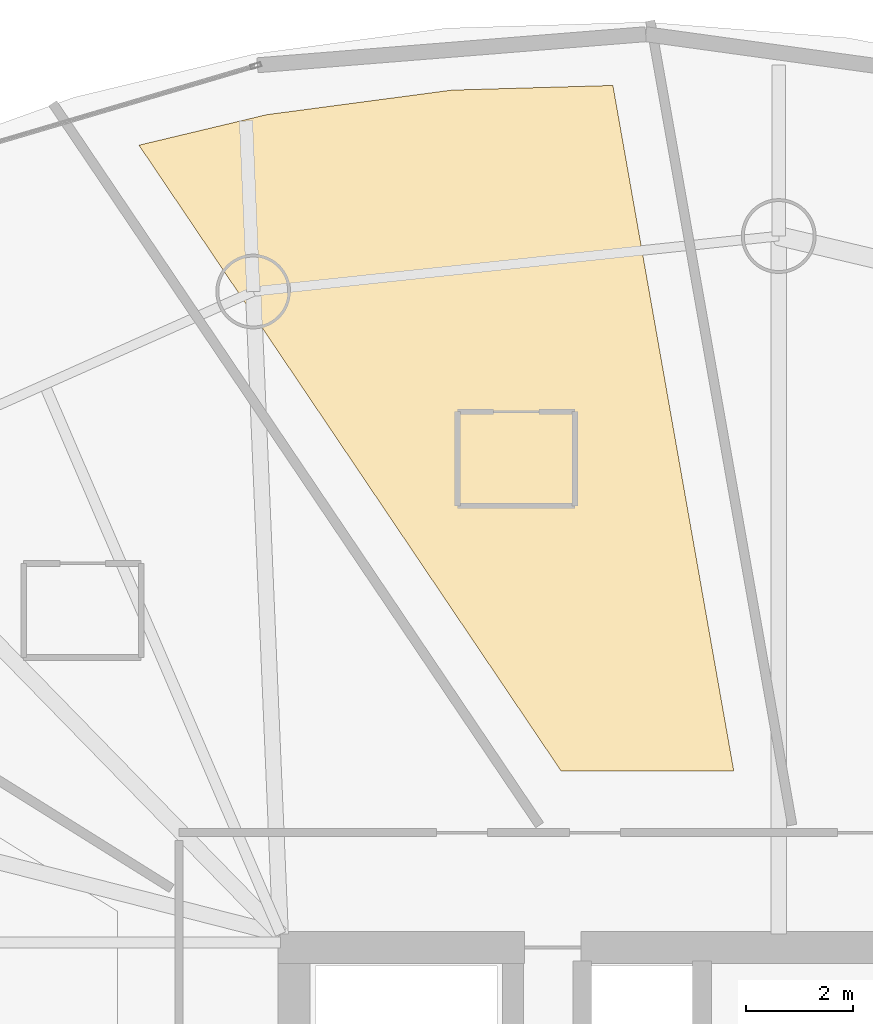
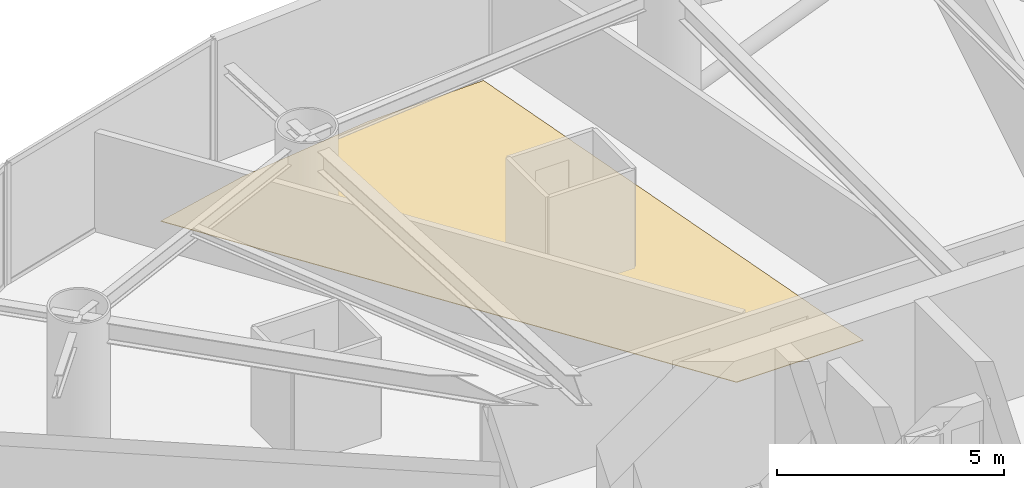
# One storey, part 24 of 24: 1 covering.
"""IFC4 building model written with IfcOpenShell, lengths in metres."""

import ifcopenshell
import ifcopenshell.guid

model = None  # the IFC model being written
_history = None  # IfcOwnerHistory: only IFC2X3 demands one
_inside = {}  # id of a spatial element -> (the spatial element, [elements in it])
_under = {}  # id of a project, library or spatial element -> (it, [spatial elements below it])
_declared = {}  # id of a project -> (the project, [libraries it declares])
_typed = {}  # id of a type object -> (the type object, [elements of that type])
_made_of = {}  # id of a material, layer set ... -> (it, [elements and type objects made of it])


def new_model(schema):
    """Start an empty IFC model of exactly this schema.

    Asked for "IFC4X3", IfcOpenShell would pick the latest addendum, in which some entities
    have other attributes; the version numbers below select the first issue.
    IFC2X3 requires an IfcOwnerHistory on every rooted entity: one is made here for all.
    """
    global model, _history
    if schema == "IFC4X3":
        model = ifcopenshell.file(schema_version=(4, 3, 0, 0))
    else:
        model = ifcopenshell.file(schema=schema)
    _inside.clear()
    _under.clear()
    _declared.clear()
    _typed.clear()
    _made_of.clear()
    _history = None
    if model.schema == "IFC2X3":
        org = make("IfcOrganization", Name="unknown")
        user = make(
            "IfcPersonAndOrganization",
            ThePerson=make("IfcPerson", FamilyName="unknown"),
            TheOrganization=org,
        )
        app = make(
            "IfcApplication",
            ApplicationDeveloper=org,
            Version="unknown",
            ApplicationFullName="unknown",
            ApplicationIdentifier="unknown",
        )
        _history = make(
            "IfcOwnerHistory",
            OwningUser=user,
            OwningApplication=app,
            ChangeAction="ADDED",
            CreationDate=0,
        )
    return model


def make(cls, **values):
    """One entity of the class cls with the attributes given. An attribute that is None is left unset."""
    return model.create_entity(
        cls, **{name: value for name, value in values.items() if value is not None}
    )


def rooted(cls, **values):
    """An entity with a GlobalId (a new one), such as an element, a storey or a relation."""
    return make(cls, GlobalId=ifcopenshell.guid.new(), OwnerHistory=_history, **values)


def si_unit(unit_type, name, prefix=None):
    """IfcSIUnit, for example si_unit("LENGTHUNIT", "METRE", prefix="MILLI")."""
    return make("IfcSIUnit", UnitType=unit_type, Prefix=prefix, Name=name)


def assignment(units):
    """IfcUnitAssignment: the units of a project."""
    return None if units is None else make("IfcUnitAssignment", Units=units)


def point(xyz):
    """IfcCartesianPoint."""
    return None if xyz is None else make("IfcCartesianPoint", Coordinates=xyz)


def direction(xyz):
    """IfcDirection."""
    return None if xyz is None else make("IfcDirection", DirectionRatios=xyz)


def frame(location, z_axis=None, x_axis=None):
    """IfcAxis2Placement3D, a coordinate frame: its origin and axes. An axis left out is left unset."""
    return make(
        "IfcAxis2Placement3D",
        Location=point(location),
        Axis=direction(z_axis),
        RefDirection=direction(x_axis),
    )


def origin():
    """The frame at (0, 0, 0) with its axes left unset."""
    return frame((0.0, 0.0, 0.0))


def place(relative_to, where):
    """IfcLocalPlacement: puts the frame where relative to a parent placement (None: the world)."""
    return make(
        "IfcLocalPlacement", PlacementRelTo=relative_to, RelativePlacement=where
    )


def context(
    kind, dimensions, precision=None, world=None, true_north=None, identifier=None
):
    """IfcGeometricRepresentationContext, for example the 3D "Model" context."""
    return make(
        "IfcGeometricRepresentationContext",
        ContextIdentifier=identifier,
        ContextType=kind,
        CoordinateSpaceDimension=dimensions,
        Precision=precision,
        WorldCoordinateSystem=world,
        TrueNorth=true_north,
    )


def subcontext(parent, identifier, kind, view, scale=None):
    """IfcGeometricRepresentationSubContext, for example "Body" below "Model"."""
    return make(
        "IfcGeometricRepresentationSubContext",
        ContextIdentifier=identifier,
        ContextType=kind,
        ParentContext=parent,
        TargetScale=scale,
        TargetView=view,
    )


def project(units=None, contexts=None):
    """IfcProject with its units and contexts."""
    return rooted(
        "IfcProject",
        Name="project",
        RepresentationContexts=contexts,
        UnitsInContext=assignment(units),
    )


def spatial(cls, under=None, at=None, **own):
    """A site, building, storey or space (cls), placed at a placement, below another one or the project."""
    s = rooted(cls, ObjectPlacement=at, **own)
    if under is not None:
        _under.setdefault(under.id(), (under, []))[1].append(s)
    return s


def polyline(points):
    """IfcPolyline through the points."""
    return make("IfcPolyline", Points=[point(p) for p in points])


def outline(outer, holes=None, kind="AREA"):
    """IfcArbitraryClosedProfileDef: a profile drawn as a closed curve; with holes, ...WithVoids."""
    if holes is None:
        return make("IfcArbitraryClosedProfileDef", ProfileType=kind, OuterCurve=outer)
    return make(
        "IfcArbitraryProfileDefWithVoids",
        ProfileType=kind,
        OuterCurve=outer,
        InnerCurves=holes,
    )


def extrude(swept, where, along, depth):
    """IfcExtrudedAreaSolid: the profile swept, set in the frame where, extruded along a direction by depth."""
    return make(
        "IfcExtrudedAreaSolid",
        SweptArea=swept,
        Position=where,
        ExtrudedDirection=direction(along),
        Depth=depth,
    )


def shape(context_of_items, identifier, shape_type, items):
    """IfcShapeRepresentation: the items that make up one representation, for example the "Body"."""
    return make(
        "IfcShapeRepresentation",
        ContextOfItems=context_of_items,
        RepresentationIdentifier=identifier,
        RepresentationType=shape_type,
        Items=items,
    )


def material(Name=None, Category=None):
    """IfcMaterial."""
    return make("IfcMaterial", Name=Name, Category=Category)


def layer(
    of_material, thickness, ventilated=None, Name=None, Category=None, Priority=None
):
    """IfcMaterialLayer: one layer of a wall or slab, of a material (None: an air gap)."""
    return make(
        "IfcMaterialLayer",
        Material=of_material,
        LayerThickness=thickness,
        IsVentilated=ventilated,
        Name=Name,
        Category=Category,
        Priority=Priority,
    )


def layer_set(layers, Name=None):
    """IfcMaterialLayerSet."""
    return make("IfcMaterialLayerSet", MaterialLayers=layers, LayerSetName=Name)


def made_of(thing, what):
    """Note that an element or type object is made of a material, layer set ...; save() writes the relation."""
    if what is not None:
        _made_of.setdefault(what.id(), (what, []))[1].append(thing)
    return thing


def type_object(cls, material=None, **own):
    """A type object (cls), such as IfcWallType, which elements share."""
    return made_of(rooted(cls, **own), material)


def element(
    cls,
    number,
    at=None,
    inside=None,
    cuts=None,
    type_object=None,
    material=None,
    context=None,
    identifier="Body",
    shape_type=None,
    held_by="IfcProductDefinitionShape",
    body=None,
    shapes=None,
    **own,
):
    """One element of the class cls, such as IfcWall. Its Tag is "e" and its number.

    at: its placement. inside: the storey or other place that contains it. cuts: it is an
    opening in that element (IfcRelVoidsElement). A single representation is given by context,
    identifier, shape_type and body (its items); several are given by shapes. held_by: the class
    of the entity that holds the representations. save() writes the other relations.
    """
    e = rooted(cls, Tag="e%d" % number, ObjectPlacement=at, **own)
    if body is not None:
        shapes = [shape(context, identifier, shape_type, body)]
    if shapes is not None:
        e.Representation = make(held_by, Representations=shapes)
    if inside is not None:
        _inside.setdefault(inside.id(), (inside, []))[1].append(e)
    if cuts is not None:
        rooted(
            "IfcRelVoidsElement", RelatingBuildingElement=cuts, RelatedOpeningElement=e
        )
    if type_object is not None:
        _typed.setdefault(type_object.id(), (type_object, []))[1].append(e)
    return made_of(e, material)


def aggregate(whole, parts):
    """IfcRelAggregates: a whole, such as a stair, and the parts it consists of."""
    return rooted("IfcRelAggregates", RelatingObject=whole, RelatedObjects=parts)


def save(model, path):
    """Write the relations noted so far, then the file.

    IfcRelAggregates (storeys below a building ...), IfcRelContainedInSpatialStructure (elements
    in a storey), IfcRelDefinesByType, IfcRelAssociatesMaterial and IfcRelDeclares: one each for
    every whole, place, type object, material and project.
    """
    for whole, parts in _under.values():
        aggregate(whole, parts)
    for where, things in _inside.values():
        rooted(
            "IfcRelContainedInSpatialStructure",
            RelatedElements=things,
            RelatingStructure=where,
        )
    for kind, things in _typed.values():
        rooted("IfcRelDefinesByType", RelatedObjects=things, RelatingType=kind)
    for what, things in _made_of.values():
        rooted("IfcRelAssociatesMaterial", RelatedObjects=things, RelatingMaterial=what)
    for by, libraries in _declared.values():
        rooted("IfcRelDeclares", RelatingContext=by, RelatedDefinitions=libraries)
    model.write(path)


model = new_model("IFC4")

# Units and contexts
model_context = context("Model", 3, precision=1e-05, world=origin(), true_north=direction((0.0, 1.0)))
body_context = subcontext(model_context, "Body", "Model", "MODEL_VIEW")
ifc_project = project(units=[si_unit("LENGTHUNIT", "METRE"), si_unit("AREAUNIT", "SQUARE_METRE"), si_unit("VOLUMEUNIT", "CUBIC_METRE"), si_unit("PLANEANGLEUNIT", "RADIAN"), si_unit("MASSUNIT", "GRAM", prefix="KILO")], contexts=[model_context])

# Site, building, storey
site_placement = place(None, origin())
site = spatial("IfcSite", under=ifc_project, at=site_placement, CompositionType="ELEMENT")
building_placement = place(site_placement, origin())
building = spatial("IfcBuilding", under=site, at=building_placement, Name="Bramvorn Convention Spire", CompositionType="ELEMENT")
storey_placement = place(building_placement, frame((0.0, 0.0, 148.300048828125)))
storey = spatial("IfcBuildingStorey", under=building, at=storey_placement, Name="L37", CompositionType="ELEMENT", Elevation=148.300048828125)

# Covering
ifc_material = material(Name="Solution-Dyed Wool Broadloom Hospitality Carpet", Category="textile")
ifc_layer = layer(ifc_material, 0.014892578125)
ifc_layer_set = layer_set([ifc_layer], Name="Solution-Dyed Wool Broadloom Hospitality Carpet - FLR-CARPET-15")
covering_type = type_object("IfcCoveringType", Name="FLR-CARPET-15", PredefinedType="FLOORING", material=ifc_layer_set)
covering_placement = place(storey_placement, origin())
element("IfcCovering", 1, at=covering_placement, inside=storey, type_object=covering_type, Name="Hotel Suite 3705 wool broadloom carpet", PredefinedType="FLOORING", context=body_context, shape_type="SweptSolid", body=[
    extrude(outline(polyline([(32.00341796875, 36.5), (35.234619140625, 36.5), (32.97119140625, 49.3369140625), (29.957275390625, 49.249755859375), (26.491455078125, 48.789794921875), (24.09912109375, 48.21826171875), (32.00341796875, 36.5)])), origin(), (0.0, 0.0, 1.0), 0.014892578125),
])

save(model, "model.ifc")
